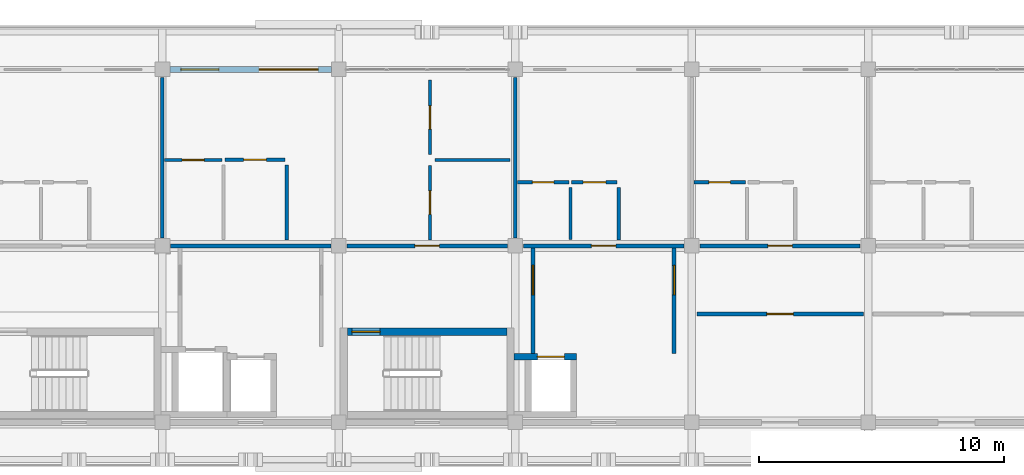
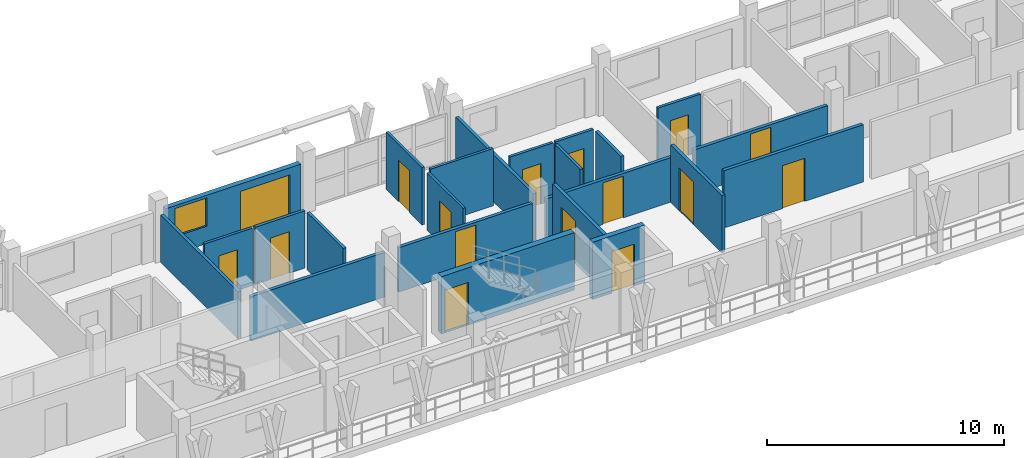
# One storey, part 34 of 56: 23 walls, 16 doors, 1 window, 17 openings.
"""IFC4 building model written with IfcOpenShell, lengths in metres."""

import ifcopenshell
import ifcopenshell.guid

model = None  # the IFC model being written
_history = None  # IfcOwnerHistory: only IFC2X3 demands one
_inside = {}  # id of a spatial element -> (the spatial element, [elements in it])
_under = {}  # id of a project, library or spatial element -> (it, [spatial elements below it])
_declared = {}  # id of a project -> (the project, [libraries it declares])
_typed = {}  # id of a type object -> (the type object, [elements of that type])
_made_of = {}  # id of a material, layer set ... -> (it, [elements and type objects made of it])


def new_model(schema):
    """Start an empty IFC model of exactly this schema.

    Asked for "IFC4X3", IfcOpenShell would pick the latest addendum, in which some entities
    have other attributes; the version numbers below select the first issue.
    IFC2X3 requires an IfcOwnerHistory on every rooted entity: one is made here for all.
    """
    global model, _history
    if schema == "IFC4X3":
        model = ifcopenshell.file(schema_version=(4, 3, 0, 0))
    else:
        model = ifcopenshell.file(schema=schema)
    _inside.clear()
    _under.clear()
    _declared.clear()
    _typed.clear()
    _made_of.clear()
    _history = None
    if model.schema == "IFC2X3":
        org = make("IfcOrganization", Name="unknown")
        user = make(
            "IfcPersonAndOrganization",
            ThePerson=make("IfcPerson", FamilyName="unknown"),
            TheOrganization=org,
        )
        app = make(
            "IfcApplication",
            ApplicationDeveloper=org,
            Version="unknown",
            ApplicationFullName="unknown",
            ApplicationIdentifier="unknown",
        )
        _history = make(
            "IfcOwnerHistory",
            OwningUser=user,
            OwningApplication=app,
            ChangeAction="ADDED",
            CreationDate=0,
        )
    return model


def make(cls, **values):
    """One entity of the class cls with the attributes given. An attribute that is None is left unset."""
    return model.create_entity(
        cls, **{name: value for name, value in values.items() if value is not None}
    )


def rooted(cls, **values):
    """An entity with a GlobalId (a new one), such as an element, a storey or a relation."""
    return make(cls, GlobalId=ifcopenshell.guid.new(), OwnerHistory=_history, **values)


def si_unit(unit_type, name, prefix=None):
    """IfcSIUnit, for example si_unit("LENGTHUNIT", "METRE", prefix="MILLI")."""
    return make("IfcSIUnit", UnitType=unit_type, Prefix=prefix, Name=name)


def assignment(units):
    """IfcUnitAssignment: the units of a project."""
    return None if units is None else make("IfcUnitAssignment", Units=units)


def point(xyz):
    """IfcCartesianPoint."""
    return None if xyz is None else make("IfcCartesianPoint", Coordinates=xyz)


def direction(xyz):
    """IfcDirection."""
    return None if xyz is None else make("IfcDirection", DirectionRatios=xyz)


def frame(location, z_axis=None, x_axis=None):
    """IfcAxis2Placement3D, a coordinate frame: its origin and axes. An axis left out is left unset."""
    return make(
        "IfcAxis2Placement3D",
        Location=point(location),
        Axis=direction(z_axis),
        RefDirection=direction(x_axis),
    )


def frame_2d(location, x_axis=None):
    """IfcAxis2Placement2D, a coordinate frame in the plane: its origin and x axis."""
    return make(
        "IfcAxis2Placement2D", Location=point(location), RefDirection=direction(x_axis)
    )


def origin():
    """The frame at (0, 0, 0) with its axes left unset."""
    return frame((0.0, 0.0, 0.0))


def place(relative_to, where):
    """IfcLocalPlacement: puts the frame where relative to a parent placement (None: the world)."""
    return make(
        "IfcLocalPlacement", PlacementRelTo=relative_to, RelativePlacement=where
    )


def context(
    kind, dimensions, precision=None, world=None, true_north=None, identifier=None
):
    """IfcGeometricRepresentationContext, for example the 3D "Model" context."""
    return make(
        "IfcGeometricRepresentationContext",
        ContextIdentifier=identifier,
        ContextType=kind,
        CoordinateSpaceDimension=dimensions,
        Precision=precision,
        WorldCoordinateSystem=world,
        TrueNorth=true_north,
    )


def subcontext(parent, identifier, kind, view, scale=None):
    """IfcGeometricRepresentationSubContext, for example "Body" below "Model"."""
    return make(
        "IfcGeometricRepresentationSubContext",
        ContextIdentifier=identifier,
        ContextType=kind,
        ParentContext=parent,
        TargetScale=scale,
        TargetView=view,
    )


def project(units=None, contexts=None):
    """IfcProject with its units and contexts."""
    return rooted(
        "IfcProject",
        Name="project",
        RepresentationContexts=contexts,
        UnitsInContext=assignment(units),
    )


def spatial(cls, under=None, at=None, **own):
    """A site, building, storey or space (cls), placed at a placement, below another one or the project."""
    s = rooted(cls, ObjectPlacement=at, **own)
    if under is not None:
        _under.setdefault(under.id(), (under, []))[1].append(s)
    return s


def profile(cls, at=None, kind="AREA", **sizes):
    """A parametric profile (cls). Its sizes go by their IFC names, for example OverallWidth=200.0."""
    return make(cls, ProfileType=kind, Position=at, **sizes)


def rectangle(**sizes):
    """IfcRectangleProfileDef."""
    return profile("IfcRectangleProfileDef", **sizes)


def extrude(swept, where, along, depth):
    """IfcExtrudedAreaSolid: the profile swept, set in the frame where, extruded along a direction by depth."""
    return make(
        "IfcExtrudedAreaSolid",
        SweptArea=swept,
        Position=where,
        ExtrudedDirection=direction(along),
        Depth=depth,
    )


def shape(context_of_items, identifier, shape_type, items):
    """IfcShapeRepresentation: the items that make up one representation, for example the "Body"."""
    return make(
        "IfcShapeRepresentation",
        ContextOfItems=context_of_items,
        RepresentationIdentifier=identifier,
        RepresentationType=shape_type,
        Items=items,
    )


def material(Name=None, Category=None):
    """IfcMaterial."""
    return make("IfcMaterial", Name=Name, Category=Category)


def layer(
    of_material, thickness, ventilated=None, Name=None, Category=None, Priority=None
):
    """IfcMaterialLayer: one layer of a wall or slab, of a material (None: an air gap)."""
    return make(
        "IfcMaterialLayer",
        Material=of_material,
        LayerThickness=thickness,
        IsVentilated=ventilated,
        Name=Name,
        Category=Category,
        Priority=Priority,
    )


def layer_set(layers, Name=None):
    """IfcMaterialLayerSet."""
    return make("IfcMaterialLayerSet", MaterialLayers=layers, LayerSetName=Name)


def made_of(thing, what):
    """Note that an element or type object is made of a material, layer set ...; save() writes the relation."""
    if what is not None:
        _made_of.setdefault(what.id(), (what, []))[1].append(thing)
    return thing


def type_object(cls, material=None, **own):
    """A type object (cls), such as IfcWallType, which elements share."""
    return made_of(rooted(cls, **own), material)


def element(
    cls,
    number,
    at=None,
    inside=None,
    cuts=None,
    type_object=None,
    material=None,
    context=None,
    identifier="Body",
    shape_type=None,
    held_by="IfcProductDefinitionShape",
    body=None,
    shapes=None,
    **own,
):
    """One element of the class cls, such as IfcWall. Its Tag is "e" and its number.

    at: its placement. inside: the storey or other place that contains it. cuts: it is an
    opening in that element (IfcRelVoidsElement). A single representation is given by context,
    identifier, shape_type and body (its items); several are given by shapes. held_by: the class
    of the entity that holds the representations. save() writes the other relations.
    """
    e = rooted(cls, Tag="e%d" % number, ObjectPlacement=at, **own)
    if body is not None:
        shapes = [shape(context, identifier, shape_type, body)]
    if shapes is not None:
        e.Representation = make(held_by, Representations=shapes)
    if inside is not None:
        _inside.setdefault(inside.id(), (inside, []))[1].append(e)
    if cuts is not None:
        rooted(
            "IfcRelVoidsElement", RelatingBuildingElement=cuts, RelatedOpeningElement=e
        )
    if type_object is not None:
        _typed.setdefault(type_object.id(), (type_object, []))[1].append(e)
    return made_of(e, material)


def fill(opening, filler):
    """IfcRelFillsElement: the door or window that sits in an opening."""
    return rooted(
        "IfcRelFillsElement",
        RelatingOpeningElement=opening,
        RelatedBuildingElement=filler,
    )


def aggregate(whole, parts):
    """IfcRelAggregates: a whole, such as a stair, and the parts it consists of."""
    return rooted("IfcRelAggregates", RelatingObject=whole, RelatedObjects=parts)


def save(model, path):
    """Write the relations noted so far, then the file.

    IfcRelAggregates (storeys below a building ...), IfcRelContainedInSpatialStructure (elements
    in a storey), IfcRelDefinesByType, IfcRelAssociatesMaterial and IfcRelDeclares: one each for
    every whole, place, type object, material and project.
    """
    for whole, parts in _under.values():
        aggregate(whole, parts)
    for where, things in _inside.values():
        rooted(
            "IfcRelContainedInSpatialStructure",
            RelatedElements=things,
            RelatingStructure=where,
        )
    for kind, things in _typed.values():
        rooted("IfcRelDefinesByType", RelatedObjects=things, RelatingType=kind)
    for what, things in _made_of.values():
        rooted("IfcRelAssociatesMaterial", RelatedObjects=things, RelatingMaterial=what)
    for by, libraries in _declared.values():
        rooted("IfcRelDeclares", RelatingContext=by, RelatedDefinitions=libraries)
    model.write(path)


model = new_model("IFC4")

# Units and contexts
model_context = context("Model", 3, precision=1e-05, world=origin(), true_north=direction((0.0, 1.0)))
body_context = subcontext(model_context, "Body", "Model", "MODEL_VIEW")
ifc_project = project(units=[si_unit("LENGTHUNIT", "METRE"), si_unit("AREAUNIT", "SQUARE_METRE"), si_unit("VOLUMEUNIT", "CUBIC_METRE"), si_unit("PLANEANGLEUNIT", "RADIAN"), si_unit("MASSUNIT", "GRAM", prefix="KILO")], contexts=[model_context])

# Site, building, storey
site_placement = place(None, origin())
site = spatial("IfcSite", under=ifc_project, at=site_placement, CompositionType="ELEMENT")
building_placement = place(site_placement, origin())
building = spatial("IfcBuilding", under=site, at=building_placement, Name="Suanplinth Sawtooth Commons", CompositionType="ELEMENT")
storey_placement = place(building_placement, frame((0.0, 0.0, 34.800048828125)))
storey = spatial("IfcBuildingStorey", under=building, at=storey_placement, Name="L10", CompositionType="ELEMENT", Elevation=34.800048828125)

# Wall, opening, door
ifc_material_1 = material(Name="Concrete C40/50", Category="concrete")
ifc_layer_1 = layer(ifc_material_1, 0.300048828125, Name="Standard RC stair and lift core wall 300mm")
ifc_layer_set_1 = layer_set([ifc_layer_1], Name="Concrete C40/50")
wall_type_1 = type_object("IfcWallType", Name="W-CR02", PredefinedType="SHEAR", material=ifc_layer_set_1)
wall_1_placement = place(storey_placement, frame((57.949951171875, 111.699951171875, 0.0), z_axis=(0.0, 0.0, 1.0), x_axis=(1.0, 0.0, 0.0)))
wall_1 = element("IfcWall", 1, at=wall_1_placement, inside=storey, type_object=wall_type_1, Name="W-L10-C-A2-STN", PredefinedType="SHEAR", context=body_context, shape_type="SweptSolid", body=[
    extrude(rectangle(XDim=6.5, YDim=0.300048828125, at=frame_2d((3.25, 0.0))), origin(), (0.0, 0.0, 1.0), 2.9599609375),
])
opening_1_placement = place(wall_1_placement, frame((0.179931640625, 0.0, 0.0)))
opening_1 = element("IfcOpeningElement", 2, at=opening_1_placement, cuts=wall_1, Name="Opening FD0130", PredefinedType="OPENING", context=body_context, shape_type="SweptSolid", body=[
    extrude(rectangle(XDim=1.14990234375, YDim=2.199951171875, at=frame_2d((0.574951171875, 1.10009765625))), frame((0.0, 0.1650390625, 0.0), z_axis=(0.0, -1.0, 0.0), x_axis=(1.0, 0.0, 0.0)), (0.0, 0.0, 1.0), 0.329833984375),
])
ifc_material_2 = material(Name="Teak hardwood fire-rated door assembly", Category="wood")
door_type_1 = type_object("IfcDoorType", Name="FD-01", OperationType="NOTDEFINED", PredefinedType="DOOR", material=ifc_material_2)
door_1_placement = place(opening_1_placement, frame((1.14990234375, 0.0, 0.0), z_axis=(0.0, 0.0, 1.0), x_axis=(-1.0, 0.0, 0.0)))
door_1 = element("IfcDoor", 3, at=door_1_placement, inside=storey, type_object=door_type_1, Name="Exit Stair Fire Door FD0130", OperationType="SINGLE_SWING_RIGHT", OverallHeight=2.199951171875, OverallWidth=1.14990234375, PredefinedType="DOOR", context=body_context, shape_type="SweptSolid", body=[
    extrude(rectangle(XDim=1.14990234375, YDim=2.199951171875, at=frame_2d((0.574951171875, 1.10009765625))), frame((0.0, 0.02490234375, 0.0), z_axis=(0.0, -1.0, 0.0), x_axis=(1.0, 0.0, 0.0)), (0.0, 0.0, 1.0), 0.050048828125),
])
fill(opening_1, door_1)

# Wall, openings, door, window
ifc_material_3 = material(Name="Precast concrete C40/50", Category="concrete")
ifc_layer_2 = layer(ifc_material_3, 0.239990234375, Name="Upper insulated precast facade wall 240mm")
ifc_layer_set_2 = layer_set([ifc_layer_2], Name="Precast concrete C40/50")
wall_type_2 = type_object("IfcWallType", Name="W-EX03", PredefinedType="ELEMENTEDWALL", material=ifc_layer_set_2)
wall_2_placement = place(storey_placement, frame((50.699951171875, 122.39990234375, 0.0), z_axis=(0.0, 0.0, 1.0), x_axis=(1.0, 0.0, 0.0)))
wall_2 = element("IfcWall", 4, at=wall_2_placement, inside=storey, type_object=wall_type_2, Name="Facade Wall W-L10-A-N-4", PredefinedType="ELEMENTEDWALL", context=body_context, shape_type="SweptSolid", body=[
    extrude(rectangle(XDim=6.60009765625, YDim=0.239990234375, at=frame_2d((3.300048828125, 0.0))), origin(), (0.0, 0.0, 1.0), 2.494873046875),
])
opening_2_placement = place(wall_2_placement, frame((3.64990234375, 0.0, 0.0)))
opening_2 = element("IfcOpeningElement", 5, at=opening_2_placement, cuts=wall_2, Name="Opening ED0741", PredefinedType="OPENING", context=body_context, shape_type="SweptSolid", body=[
    extrude(rectangle(XDim=2.39990234375, YDim=2.1201171875, at=frame_2d((1.199951171875, 1.06005859375))), frame((0.0, 0.134765625, 0.0), z_axis=(0.0, -1.0, 0.0), x_axis=(1.0, 0.0, 0.0)), (0.0, 0.0, 1.0), 0.269775390625),
])
opening_3_placement = place(wall_2_placement, frame((0.449951171875, 0.0, 0.89990234375)))
opening_3 = element("IfcOpeningElement", 6, at=opening_3_placement, cuts=wall_2, Name="Opening W0821", PredefinedType="OPENING", context=body_context, shape_type="SweptSolid", body=[
    extrude(rectangle(XDim=1.550048828125, YDim=1.449951171875, at=frame_2d((0.77490234375, 0.72509765625))), frame((0.0, 0.134765625, 0.0), z_axis=(0.0, -1.0, 0.0), x_axis=(1.0, 0.0, 0.0)), (0.0, 0.0, 1.0), 0.269775390625),
])
ifc_material_4 = material(Name="Anodized aluminium and low-E glass", Category="aluminium")
door_type_2 = type_object("IfcDoorType", Name="SD-04", OperationType="DOUBLE_DOOR_SLIDING", PredefinedType="DOOR", material=ifc_material_4)
door_2_placement = place(opening_2_placement, frame((2.39990234375, 0.0, 0.0), z_axis=(0.0, 0.0, 1.0), x_axis=(-1.0, 0.0, 0.0)))
door_2 = element("IfcDoor", 7, at=door_2_placement, inside=storey, type_object=door_type_2, Name="Balcony Sliding Door L10-A-N-4", OperationType="DOUBLE_DOOR_SLIDING", OverallHeight=2.1201171875, OverallWidth=2.39990234375, PredefinedType="DOOR", context=body_context, shape_type="SweptSolid", body=[
    extrude(rectangle(XDim=2.39990234375, YDim=2.1201171875, at=frame_2d((1.199951171875, 1.06005859375))), frame((0.0, 0.02490234375, 0.0), z_axis=(0.0, -1.0, 0.0), x_axis=(1.0, 0.0, 0.0)), (0.0, 0.0, 1.0), 0.050048828125),
])
fill(opening_2, door_2)
ifc_material_5 = material(Name="Thermally broken aluminium and low-E double glazing", Category="aluminium")
window_type = type_object("IfcWindowType", Name="WN-22", PartitioningType="DOUBLE_PANEL_VERTICAL", PredefinedType="WINDOW", material=ifc_material_5)
window_placement = place(opening_3_placement, origin())
window = element("IfcWindow", 8, at=window_placement, inside=storey, type_object=window_type, Name="Window L10-A-N-4", OverallHeight=1.449951171875, OverallWidth=1.550048828125, PartitioningType="DOUBLE_PANEL_VERTICAL", PredefinedType="WINDOW", context=body_context, shape_type="SweptSolid", body=[
    extrude(rectangle(XDim=1.550048828125, YDim=1.449951171875, at=frame_2d((0.77490234375, 0.72509765625))), frame((0.0, 0.030029296875, 0.0), z_axis=(0.0, -1.0, 0.0), x_axis=(1.0, 0.0, 0.0)), (0.0, 0.0, 1.0), 0.06005859375),
])
fill(opening_3, window)

# Wall, opening, door
ifc_layer_3 = layer(ifc_material_3, 0.159912109375, Name="Fire-rated corridor and lobby wall 160mm")
ifc_layer_set_3 = layer_set([ifc_layer_3], Name="Precast concrete C40/50")
wall_type_3 = type_object("IfcWallType", Name="W-FW01", PredefinedType="PARTITIONING", material=ifc_layer_set_3)
wall_3_placement = place(storey_placement, frame((65.52001953125, 110.800048828125, 0.0), z_axis=(0.0, 0.0, 1.0), x_axis=(0.0, 1.0, 0.0)))
wall_3 = element("IfcWall", 9, at=wall_3_placement, inside=storey, type_object=wall_type_3, Name="W-L10-C-A2-LOB-W", PredefinedType="PARTITIONING", context=body_context, shape_type="SweptSolid", body=[
    extrude(rectangle(XDim=4.320068359375, YDim=0.159912109375, at=frame_2d((2.16015625, 0.0))), origin(), (0.0, 0.0, 1.0), 2.9599609375),
])
opening_4_placement = place(wall_3_placement, frame((2.39990234375, 0.0, 0.0)))
opening_4 = element("IfcOpeningElement", 10, at=opening_4_placement, cuts=wall_3, Name="Opening FD0131", PredefinedType="OPENING", context=body_context, shape_type="SweptSolid", body=[
    extrude(rectangle(XDim=1.199951171875, YDim=2.199951171875, at=frame_2d((0.60009765625, 1.10009765625))), frame((0.0, 0.0947265625, 0.0), z_axis=(0.0, -1.0, 0.0), x_axis=(1.0, 0.0, 0.0)), (0.0, 0.0, 1.0), 0.189697265625),
])
door_type_3 = type_object("IfcDoorType", Name="FD-02", OperationType="NOTDEFINED", PredefinedType="DOOR", material=ifc_material_2)
door_3_placement = place(opening_4_placement, origin())
door_3 = element("IfcDoor", 11, at=door_3_placement, inside=storey, type_object=door_type_3, Name="Lobby Fire Door FD0131", OperationType="SINGLE_SWING_LEFT", OverallHeight=2.199951171875, OverallWidth=1.199951171875, PredefinedType="DOOR", context=body_context, shape_type="SweptSolid", body=[
    extrude(rectangle(XDim=1.199951171875, YDim=2.199951171875, at=frame_2d((0.60009765625, 1.10009765625))), frame((0.0, 0.02490234375, 0.0), z_axis=(0.0, -1.0, 0.0), x_axis=(1.0, 0.0, 0.0)), (0.0, 0.0, 1.0), 0.050048828125),
])
fill(opening_4, door_3)

wall_4_placement = place(storey_placement, frame((71.280029296875, 110.800048828125, 0.0), z_axis=(0.0, 0.0, 1.0), x_axis=(0.0, 1.0, 0.0)))
wall_4 = element("IfcWall", 12, at=wall_4_placement, inside=storey, type_object=wall_type_3, Name="W-L10-C-A2-LOB-E", PredefinedType="PARTITIONING", context=body_context, shape_type="SweptSolid", body=[
    extrude(rectangle(XDim=4.320068359375, YDim=0.159912109375, at=frame_2d((2.16015625, 0.0))), origin(), (0.0, 0.0, 1.0), 2.9599609375),
])
opening_5_placement = place(wall_4_placement, frame((2.39990234375, 0.0, 0.0)))
opening_5 = element("IfcOpeningElement", 13, at=opening_5_placement, cuts=wall_4, Name="Opening FD0132", PredefinedType="OPENING", context=body_context, shape_type="SweptSolid", body=[
    extrude(rectangle(XDim=1.199951171875, YDim=2.199951171875, at=frame_2d((0.60009765625, 1.10009765625))), frame((0.0, 0.0947265625, 0.0), z_axis=(0.0, -1.0, 0.0), x_axis=(1.0, 0.0, 0.0)), (0.0, 0.0, 1.0), 0.189697265625),
])
door_4_placement = place(opening_5_placement, frame((1.199951171875, 0.0, 0.0), z_axis=(0.0, 0.0, 1.0), x_axis=(-1.0, 0.0, 0.0)))
door_4 = element("IfcDoor", 14, at=door_4_placement, inside=storey, type_object=door_type_3, Name="Lobby Fire Door FD0132", OperationType="SINGLE_SWING_RIGHT", OverallHeight=2.199951171875, OverallWidth=1.199951171875, PredefinedType="DOOR", context=body_context, shape_type="SweptSolid", body=[
    extrude(rectangle(XDim=1.199951171875, YDim=2.199951171875, at=frame_2d((0.60009765625, 1.10009765625))), frame((0.0, 0.02490234375, 0.0), z_axis=(0.0, -1.0, 0.0), x_axis=(1.0, 0.0, 0.0)), (0.0, 0.0, 1.0), 0.050048828125),
])
fill(opening_5, door_4)

# Wall
wall_5_placement = place(storey_placement, frame((50.72998046875, 115.199951171875, 0.0), z_axis=(0.0, 0.0, 1.0), x_axis=(1.0, 0.0, 0.0)))
element("IfcWall", 15, at=wall_5_placement, inside=storey, type_object=wall_type_3, Name="W-A-L10-U04-COR-S1", PredefinedType="PARTITIONING", context=body_context, shape_type="SweptSolid", body=[
    extrude(rectangle(XDim=6.5400390625, YDim=0.159912109375, at=frame_2d((3.27001953125, 0.0))), origin(), (0.0, 0.0, 1.0), 2.294921875),
])

# Wall, opening, door
wall_6_placement = place(storey_placement, frame((57.929931640625, 115.199951171875, 0.0), z_axis=(0.0, 0.0, 1.0), x_axis=(1.0, 0.0, 0.0)))
wall_6 = element("IfcWall", 16, at=wall_6_placement, inside=storey, type_object=wall_type_3, Name="W-A-L10-U04-COR-S2", PredefinedType="PARTITIONING", context=body_context, shape_type="SweptSolid", body=[
    extrude(rectangle(XDim=6.5400390625, YDim=0.159912109375, at=frame_2d((3.27001953125, 0.0))), origin(), (0.0, 0.0, 1.0), 2.294921875),
])
opening_6_placement = place(wall_6_placement, frame((2.77001953125, 0.0, 0.0)))
opening_6 = element("IfcOpeningElement", 17, at=opening_6_placement, cuts=wall_6, Name="Opening FD1855", PredefinedType="OPENING", context=body_context, shape_type="SweptSolid", body=[
    extrude(rectangle(XDim=1.0, YDim=2.14990234375, at=frame_2d((0.5, 1.074951171875))), frame((0.0, 0.0947265625, 0.0), z_axis=(0.0, -1.0, 0.0), x_axis=(1.0, 0.0, 0.0)), (0.0, 0.0, 1.0), 0.189697265625),
])
door_type_4 = type_object("IfcDoorType", Name="FD-03", OperationType="NOTDEFINED", PredefinedType="DOOR", material=ifc_material_2)
door_5_placement = place(opening_6_placement, origin())
door_5 = element("IfcDoor", 18, at=door_5_placement, inside=storey, type_object=door_type_4, Name="Unit Entrance Door FD1855", OperationType="SINGLE_SWING_LEFT", OverallHeight=2.14990234375, OverallWidth=1.0, PredefinedType="DOOR", context=body_context, shape_type="SweptSolid", body=[
    extrude(rectangle(XDim=1.0, YDim=2.14990234375, at=frame_2d((0.5, 1.074951171875))), frame((0.0, 0.02490234375, 0.0), z_axis=(0.0, -1.0, 0.0), x_axis=(1.0, 0.0, 0.0)), (0.0, 0.0, 1.0), 0.050048828125),
])
fill(opening_6, door_5)

wall_7_placement = place(storey_placement, frame((65.1298828125, 115.199951171875, 0.0), z_axis=(0.0, 0.0, 1.0), x_axis=(1.0, 0.0, 0.0)))
wall_7 = element("IfcWall", 19, at=wall_7_placement, inside=storey, type_object=wall_type_3, Name="W-A-L10-U05-COR", PredefinedType="PARTITIONING", context=body_context, shape_type="SweptSolid", body=[
    extrude(rectangle(XDim=6.5400390625, YDim=0.159912109375, at=frame_2d((3.27001953125, 0.0))), origin(), (0.0, 0.0, 1.0), 2.294921875),
])
opening_7_placement = place(wall_7_placement, frame((2.77001953125, 0.0, 0.0)))
opening_7 = element("IfcOpeningElement", 20, at=opening_7_placement, cuts=wall_7, Name="Opening FD1860", PredefinedType="OPENING", context=body_context, shape_type="SweptSolid", body=[
    extrude(rectangle(XDim=1.0, YDim=2.14990234375, at=frame_2d((0.5, 1.074951171875))), frame((0.0, 0.0947265625, 0.0), z_axis=(0.0, -1.0, 0.0), x_axis=(1.0, 0.0, 0.0)), (0.0, 0.0, 1.0), 0.189697265625),
])
door_6_placement = place(opening_7_placement, origin())
door_6 = element("IfcDoor", 21, at=door_6_placement, inside=storey, type_object=door_type_4, Name="Unit Entrance Door FD1860", OperationType="SINGLE_SWING_RIGHT", OverallHeight=2.14990234375, OverallWidth=1.0, PredefinedType="DOOR", context=body_context, shape_type="SweptSolid", body=[
    extrude(rectangle(XDim=1.0, YDim=2.14990234375, at=frame_2d((0.5, 1.074951171875))), frame((0.0, 0.02490234375, 0.0), z_axis=(0.0, -1.0, 0.0), x_axis=(1.0, 0.0, 0.0)), (0.0, 0.0, 1.0), 0.050048828125),
])
fill(opening_7, door_6)

wall_8_placement = place(storey_placement, frame((72.330078125, 115.199951171875, 0.0), z_axis=(0.0, 0.0, 1.0), x_axis=(1.0, 0.0, 0.0)))
wall_8 = element("IfcWall", 22, at=wall_8_placement, inside=storey, type_object=wall_type_3, Name="W-A-L10-U06-COR", PredefinedType="PARTITIONING", context=body_context, shape_type="SweptSolid", body=[
    extrude(rectangle(XDim=6.5400390625, YDim=0.159912109375, at=frame_2d((3.27001953125, 0.0))), origin(), (0.0, 0.0, 1.0), 2.294921875),
])
opening_8_placement = place(wall_8_placement, frame((2.77001953125, 0.0, 0.0)))
opening_8 = element("IfcOpeningElement", 23, at=opening_8_placement, cuts=wall_8, Name="Opening FD1863", PredefinedType="OPENING", context=body_context, shape_type="SweptSolid", body=[
    extrude(rectangle(XDim=1.0, YDim=2.14990234375, at=frame_2d((0.5, 1.074951171875))), frame((0.0, 0.0947265625, 0.0), z_axis=(0.0, -1.0, 0.0), x_axis=(1.0, 0.0, 0.0)), (0.0, 0.0, 1.0), 0.189697265625),
])
door_7_placement = place(opening_8_placement, origin())
door_7 = element("IfcDoor", 24, at=door_7_placement, inside=storey, type_object=door_type_4, Name="Unit Entrance Door FD1863", OperationType="SINGLE_SWING_LEFT", OverallHeight=2.14990234375, OverallWidth=1.0, PredefinedType="DOOR", context=body_context, shape_type="SweptSolid", body=[
    extrude(rectangle(XDim=1.0, YDim=2.14990234375, at=frame_2d((0.5, 1.074951171875))), frame((0.0, 0.02490234375, 0.0), z_axis=(0.0, -1.0, 0.0), x_axis=(1.0, 0.0, 0.0)), (0.0, 0.0, 1.0), 0.050048828125),
])
fill(opening_8, door_7)

wall_9_placement = place(storey_placement, frame((72.199951171875, 112.419921875, 0.0), z_axis=(0.0, 0.0, 1.0), x_axis=(1.0, 0.0, 0.0)))
wall_9 = element("IfcWall", 25, at=wall_9_placement, inside=storey, type_object=wall_type_3, Name="W-A-L10-COURTROOM-11-COR", PredefinedType="PARTITIONING", context=body_context, shape_type="SweptSolid", body=[
    extrude(rectangle(XDim=6.800048828125, YDim=0.159912109375, at=frame_2d((3.39990234375, 0.0))), origin(), (0.0, 0.0, 1.0), 2.9599609375),
])
opening_9_placement = place(wall_9_placement, frame((2.860107421875, 0.0, 0.0)))
opening_9 = element("IfcOpeningElement", 26, at=opening_9_placement, cuts=wall_9, Name="Opening D1875", PredefinedType="OPENING", context=body_context, shape_type="SweptSolid", body=[
    extrude(rectangle(XDim=1.080078125, YDim=2.219970703125, at=frame_2d((0.5400390625, 1.10986328125))), frame((0.0, 0.0947265625, 0.0), z_axis=(0.0, -1.0, 0.0), x_axis=(1.0, 0.0, 0.0)), (0.0, 0.0, 1.0), 0.189697265625),
])
ifc_material_6 = material(Name="Teak hardwood", Category="wood")
door_type_5 = type_object("IfcDoorType", Name="D-17", OperationType="NOTDEFINED", PredefinedType="DOOR", material=ifc_material_6)
door_8_placement = place(opening_9_placement, frame((1.080078125, 0.0, 0.0), z_axis=(0.0, 0.0, 1.0), x_axis=(-1.0, 0.0, 0.0)))
door_8 = element("IfcDoor", 27, at=door_8_placement, inside=storey, type_object=door_type_5, Name="Study Studio Door D1875", OperationType="SINGLE_SWING_LEFT", OverallHeight=2.219970703125, OverallWidth=1.080078125, PredefinedType="DOOR", context=body_context, shape_type="SweptSolid", body=[
    extrude(rectangle(XDim=1.080078125, YDim=2.219970703125, at=frame_2d((0.5400390625, 1.10986328125))), frame((0.0, 0.02490234375, 0.0), z_axis=(0.0, -1.0, 0.0), x_axis=(1.0, 0.0, 0.0)), (0.0, 0.0, 1.0), 0.050048828125),
])
fill(opening_9, door_8)

# Walls
ifc_layer_4 = layer(ifc_material_3, 0.14990234375, Name="Acoustic precast party demising wall 150mm")
ifc_layer_set_4 = layer_set([ifc_layer_4], Name="Precast concrete C40/50")
wall_type_4 = type_object("IfcWallType", Name="W-FW02", PredefinedType="PARTITIONING", material=ifc_layer_set_4)
for number, where, z_axis, x_axis, name in (
    (28, (50.39990234375, 115.530029296875, 0.0), (0.0, 0.0, 1.0), (0.0, 1.0, 0.0), "W-A-L10-U03-PTY"),
    (29, (64.800048828125, 115.530029296875, 0.0), (0.0, 0.0, 1.0), (0.0, 1.0, 0.0), "W-A-L10-U04-PTY"),
):
    element("IfcWall", number, at=place(storey_placement, frame(where, z_axis=z_axis, x_axis=x_axis)), inside=storey, type_object=wall_type_4, Name=name, PredefinedType="PARTITIONING", context=body_context, shape_type="SweptSolid", body=[
        extrude(rectangle(XDim=6.5400390625, YDim=0.14990234375, at=frame_2d((3.27001953125, 0.0))), origin(), (0.0, 0.0, 1.0), 2.445068359375),
    ])

# Wall, opening, door
ifc_material_7 = material(Name="Gypsum plasterboard on steel stud", Category="steel")
ifc_layer_5 = layer(ifc_material_7, 0.139892578125, Name="Fire-rated kitchen partition 140mm")
ifc_layer_set_5 = layer_set([ifc_layer_5], Name="Gypsum plasterboard on steel stud")
wall_type_5 = type_object("IfcWallType", Name="W-PT01", PredefinedType="PARTITIONING", material=ifc_layer_set_5)
wall_10_placement = place(storey_placement, frame((52.949951171875, 118.7099609375, 0.0), z_axis=(0.0, 0.0, 1.0), x_axis=(1.0, 0.0, 0.0)))
wall_10 = element("IfcWall", 30, at=wall_10_placement, inside=storey, type_object=wall_type_5, Name="W-A-L10-U04-KIT1", PredefinedType="PARTITIONING", context=body_context, shape_type="SweptSolid", body=[
    extrude(rectangle(XDim=2.449951171875, YDim=0.139892578125, at=frame_2d((1.22509765625, 0.0))), origin(), (0.0, 0.0, 1.0), 2.9599609375),
])
opening_10_placement = place(wall_10_placement, frame((0.760009765625, 0.0, 0.0)))
opening_10 = element("IfcOpeningElement", 31, at=opening_10_placement, cuts=wall_10, Name="Opening D1857", PredefinedType="OPENING", context=body_context, shape_type="SweptSolid", body=[
    extrude(rectangle(XDim=0.929931640625, YDim=2.139892578125, at=frame_2d((0.46484375, 1.06982421875))), frame((0.0, 0.0849609375, 0.0), z_axis=(0.0, -1.0, 0.0), x_axis=(1.0, 0.0, 0.0)), (0.0, 0.0, 1.0), 0.169677734375),
])
door_type_6 = type_object("IfcDoorType", Name="D-19", OperationType="NOTDEFINED", PredefinedType="DOOR", material=ifc_material_6)
door_9_placement = place(opening_10_placement, frame((0.929931640625, 0.0, 0.0), z_axis=(0.0, 0.0, 1.0), x_axis=(-1.0, 0.0, 0.0)))
door_9 = element("IfcDoor", 32, at=door_9_placement, inside=storey, type_object=door_type_6, Name="Kitchen Door D1857", OperationType="SINGLE_SWING_LEFT", OverallHeight=2.139892578125, OverallWidth=0.929931640625, PredefinedType="DOOR", context=body_context, shape_type="SweptSolid", body=[
    extrude(rectangle(XDim=0.929931640625, YDim=2.139892578125, at=frame_2d((0.46484375, 1.06982421875))), frame((0.0, 0.02490234375, 0.0), z_axis=(0.0, -1.0, 0.0), x_axis=(1.0, 0.0, 0.0)), (0.0, 0.0, 1.0), 0.050048828125),
])
fill(opening_10, door_9)

# Wall
wall_11_placement = place(storey_placement, frame((55.469970703125, 115.429931640625, 0.0), z_axis=(0.0, 0.0, 1.0), x_axis=(0.0, 1.0, 0.0)))
element("IfcWall", 33, at=wall_11_placement, inside=storey, type_object=wall_type_5, Name="W-A-L10-U04-KIT2", PredefinedType="PARTITIONING", context=body_context, shape_type="SweptSolid", body=[
    extrude(rectangle(XDim=3.06005859375, YDim=0.139892578125, at=frame_2d((1.530029296875, 0.0))), origin(), (0.0, 0.0, 1.0), 2.9599609375),
])

# Wall, opening, door
wall_12_placement = place(storey_placement, frame((67.10009765625, 117.800048828125, 0.0), z_axis=(0.0, 0.0, 1.0), x_axis=(1.0, 0.0, 0.0)))
wall_12 = element("IfcWall", 34, at=wall_12_placement, inside=storey, type_object=wall_type_5, Name="W-A-L10-U05-KIT1", PredefinedType="PARTITIONING", context=body_context, shape_type="SweptSolid", body=[
    extrude(rectangle(XDim=1.849853515625, YDim=0.139892578125, at=frame_2d((0.9248046875, 0.0))), origin(), (0.0, 0.0, 1.0), 2.9599609375),
])
opening_11_placement = place(wall_12_placement, frame((0.4599609375, 0.0, 0.0)))
opening_11 = element("IfcOpeningElement", 35, at=opening_11_placement, cuts=wall_12, Name="Opening D1862", PredefinedType="OPENING", context=body_context, shape_type="SweptSolid", body=[
    extrude(rectangle(XDim=0.929931640625, YDim=2.139892578125, at=frame_2d((0.46484375, 1.06982421875))), frame((0.0, 0.0849609375, 0.0), z_axis=(0.0, -1.0, 0.0), x_axis=(1.0, 0.0, 0.0)), (0.0, 0.0, 1.0), 0.169677734375),
])
door_10_placement = place(opening_11_placement, frame((0.929931640625, 0.0, 0.0), z_axis=(0.0, 0.0, 1.0), x_axis=(-1.0, 0.0, 0.0)))
door_10 = element("IfcDoor", 36, at=door_10_placement, inside=storey, type_object=door_type_6, Name="Kitchen Door D1862", OperationType="SINGLE_SWING_RIGHT", OverallHeight=2.139892578125, OverallWidth=0.929931640625, PredefinedType="DOOR", context=body_context, shape_type="SweptSolid", body=[
    extrude(rectangle(XDim=0.929931640625, YDim=2.139892578125, at=frame_2d((0.46484375, 1.06982421875))), frame((0.0, 0.02490234375, 0.0), z_axis=(0.0, -1.0, 0.0), x_axis=(1.0, 0.0, 0.0)), (0.0, 0.0, 1.0), 0.050048828125),
])
fill(opening_11, door_10)

# Wall
wall_13_placement = place(storey_placement, frame((69.02001953125, 115.429931640625, 0.0), z_axis=(0.0, 0.0, 1.0), x_axis=(0.0, 1.0, 0.0)))
element("IfcWall", 37, at=wall_13_placement, inside=storey, type_object=wall_type_5, Name="W-A-L10-U05-KIT2", PredefinedType="PARTITIONING", context=body_context, shape_type="SweptSolid", body=[
    extrude(rectangle(XDim=2.150146484375, YDim=0.139892578125, at=frame_2d((1.0751953125, 0.0))), origin(), (0.0, 0.0, 1.0), 2.9599609375),
])

# Wall, opening, door
ifc_layer_6 = layer(ifc_material_7, 0.1298828125, Name="Moisture-resistant bathroom partition 130mm")
ifc_layer_set_6 = layer_set([ifc_layer_6], Name="Gypsum plasterboard on steel stud")
wall_type_6 = type_object("IfcWallType", Name="W-PT02", PredefinedType="PARTITIONING", material=ifc_layer_set_6)
wall_14_placement = place(storey_placement, frame((50.47998046875, 118.705078125, 0.0), z_axis=(0.0, 0.0, 1.0), x_axis=(1.0, 0.0, 0.0)))
wall_14 = element("IfcWall", 38, at=wall_14_placement, inside=storey, type_object=wall_type_6, Name="W-A-L10-U04-BTH1", PredefinedType="PARTITIONING", context=body_context, shape_type="SweptSolid", body=[
    extrude(rectangle(XDim=2.35009765625, YDim=0.1298828125, at=frame_2d((1.175048828125, 0.0))), origin(), (0.0, 0.0, 1.0), 2.9599609375),
])
opening_12_placement = place(wall_14_placement, frame((0.72509765625, 0.0, 0.0)))
opening_12 = element("IfcOpeningElement", 39, at=opening_12_placement, cuts=wall_14, Name="Opening D1856", PredefinedType="OPENING", context=body_context, shape_type="SweptSolid", body=[
    extrude(rectangle(XDim=0.89990234375, YDim=2.10009765625, at=frame_2d((0.449951171875, 1.050048828125))), frame((0.0, 0.079833984375, 0.0), z_axis=(0.0, -1.0, 0.0), x_axis=(1.0, 0.0, 0.0)), (0.0, 0.0, 1.0), 0.15966796875),
])
door_type_7 = type_object("IfcDoorType", Name="D-01", OperationType="NOTDEFINED", PredefinedType="DOOR", material=ifc_material_6)
door_11_placement = place(opening_12_placement, frame((0.89990234375, 0.0, 0.0), z_axis=(0.0, 0.0, 1.0), x_axis=(-1.0, 0.0, 0.0)))
door_11 = element("IfcDoor", 40, at=door_11_placement, inside=storey, type_object=door_type_7, Name="Bathroom Door D1856", OperationType="SINGLE_SWING_RIGHT", OverallHeight=2.10009765625, OverallWidth=0.89990234375, PredefinedType="DOOR", context=body_context, shape_type="SweptSolid", body=[
    extrude(rectangle(XDim=0.89990234375, YDim=2.10009765625, at=frame_2d((0.449951171875, 1.050048828125))), frame((0.0, 0.02490234375, 0.0), z_axis=(0.0, -1.0, 0.0), x_axis=(1.0, 0.0, 0.0)), (0.0, 0.0, 1.0), 0.050048828125),
])
fill(opening_12, door_11)

wall_15_placement = place(storey_placement, frame((64.8798828125, 117.794921875, 0.0), z_axis=(0.0, 0.0, 1.0), x_axis=(1.0, 0.0, 0.0)))
wall_15 = element("IfcWall", 41, at=wall_15_placement, inside=storey, type_object=wall_type_6, Name="W-A-L10-U05-BTH1", PredefinedType="PARTITIONING", context=body_context, shape_type="SweptSolid", body=[
    extrude(rectangle(XDim=2.10009765625, YDim=0.1298828125, at=frame_2d((1.050048828125, 0.0))), origin(), (0.0, 0.0, 1.0), 2.9599609375),
])
opening_13_placement = place(wall_15_placement, frame((0.610107421875, 0.0, 0.0)))
opening_13 = element("IfcOpeningElement", 42, at=opening_13_placement, cuts=wall_15, Name="Opening D1861", PredefinedType="OPENING", context=body_context, shape_type="SweptSolid", body=[
    extrude(rectangle(XDim=0.8798828125, YDim=2.10009765625, at=frame_2d((0.43994140625, 1.050048828125))), frame((0.0, 0.079833984375, 0.0), z_axis=(0.0, -1.0, 0.0), x_axis=(1.0, 0.0, 0.0)), (0.0, 0.0, 1.0), 0.15966796875),
])
door_type_8 = type_object("IfcDoorType", Name="D-14", OperationType="NOTDEFINED", PredefinedType="DOOR", material=ifc_material_6)
door_12_placement = place(opening_13_placement, frame((0.8798828125, 0.0, 0.0), z_axis=(0.0, 0.0, 1.0), x_axis=(-1.0, 0.0, 0.0)))
door_12 = element("IfcDoor", 43, at=door_12_placement, inside=storey, type_object=door_type_8, Name="Bathroom Door D1861", OperationType="SINGLE_SWING_LEFT", OverallHeight=2.10009765625, OverallWidth=0.8798828125, PredefinedType="DOOR", context=body_context, shape_type="SweptSolid", body=[
    extrude(rectangle(XDim=0.8798828125, YDim=2.10009765625, at=frame_2d((0.43994140625, 1.050048828125))), frame((0.0, 0.02490234375, 0.0), z_axis=(0.0, -1.0, 0.0), x_axis=(1.0, 0.0, 0.0)), (0.0, 0.0, 1.0), 0.050048828125),
])
fill(opening_13, door_12)

# Wall
wall_16_placement = place(storey_placement, frame((67.044921875, 115.4599609375, 0.0), z_axis=(0.0, 0.0, 1.0), x_axis=(0.0, 1.0, 0.0)))
element("IfcWall", 44, at=wall_16_placement, inside=storey, type_object=wall_type_6, Name="W-A-L10-U05-BTH2", PredefinedType="PARTITIONING", context=body_context, shape_type="SweptSolid", body=[
    extrude(rectangle(XDim=2.130126953125, YDim=0.1298828125, at=frame_2d((1.06494140625, 0.0))), origin(), (0.0, 0.0, 1.0), 2.9599609375),
])

# Wall, opening, door
wall_17_placement = place(storey_placement, frame((72.080078125, 117.794921875, 0.0), z_axis=(0.0, 0.0, 1.0), x_axis=(1.0, 0.0, 0.0)))
wall_17 = element("IfcWall", 45, at=wall_17_placement, inside=storey, type_object=wall_type_6, Name="W-A-L10-U06-BTH1", PredefinedType="PARTITIONING", context=body_context, shape_type="SweptSolid", body=[
    extrude(rectangle(XDim=2.099853515625, YDim=0.1298828125, at=frame_2d((1.0498046875, 0.0))), origin(), (0.0, 0.0, 1.0), 2.9599609375),
])
opening_14_placement = place(wall_17_placement, frame((0.610107421875, 0.0, 0.0)))
opening_14 = element("IfcOpeningElement", 46, at=opening_14_placement, cuts=wall_17, Name="Opening D1864", PredefinedType="OPENING", context=body_context, shape_type="SweptSolid", body=[
    extrude(rectangle(XDim=0.8798828125, YDim=2.10009765625, at=frame_2d((0.43994140625, 1.050048828125))), frame((0.0, 0.079833984375, 0.0), z_axis=(0.0, -1.0, 0.0), x_axis=(1.0, 0.0, 0.0)), (0.0, 0.0, 1.0), 0.15966796875),
])
door_13_placement = place(opening_14_placement, frame((0.8798828125, 0.0, 0.0), z_axis=(0.0, 0.0, 1.0), x_axis=(-1.0, 0.0, 0.0)))
door_13 = element("IfcDoor", 47, at=door_13_placement, inside=storey, type_object=door_type_8, Name="Bathroom Door D1864", OperationType="SINGLE_SWING_RIGHT", OverallHeight=2.10009765625, OverallWidth=0.8798828125, PredefinedType="DOOR", context=body_context, shape_type="SweptSolid", body=[
    extrude(rectangle(XDim=0.8798828125, YDim=2.10009765625, at=frame_2d((0.43994140625, 1.050048828125))), frame((0.0, 0.02490234375, 0.0), z_axis=(0.0, -1.0, 0.0), x_axis=(1.0, 0.0, 0.0)), (0.0, 0.0, 1.0), 0.050048828125),
])
fill(opening_14, door_13)

ifc_layer_7 = layer(ifc_material_7, 0.1201171875, Name="Acoustic bedroom partition 120mm")
ifc_layer_set_7 = layer_set([ifc_layer_7], Name="Gypsum plasterboard on steel stud")
wall_type_7 = type_object("IfcWallType", Name="W-PT03", PredefinedType="PARTITIONING", material=ifc_layer_set_7)
wall_18_placement = place(storey_placement, frame((61.320068359375, 118.919921875, 0.0), z_axis=(0.0, 0.0, 1.0), x_axis=(0.0, 1.0, 0.0)))
wall_18 = element("IfcWall", 48, at=wall_18_placement, inside=storey, type_object=wall_type_7, Name="W-A-L10-U04-BED1", PredefinedType="PARTITIONING", context=body_context, shape_type="SweptSolid", body=[
    extrude(rectangle(XDim=3.0400390625, YDim=0.1201171875, at=frame_2d((1.52001953125, 0.0))), origin(), (0.0, 0.0, 1.0), 2.9599609375),
])
opening_15_placement = place(wall_18_placement, frame((1.044921875, 0.0, 0.0)))
opening_15 = element("IfcOpeningElement", 49, at=opening_15_placement, cuts=wall_18, Name="Opening D1858", PredefinedType="OPENING", context=body_context, shape_type="SweptSolid", body=[
    extrude(rectangle(XDim=0.949951171875, YDim=2.14990234375, at=frame_2d((0.47509765625, 1.074951171875))), frame((0.0, 0.074951171875, 0.0), z_axis=(0.0, -1.0, 0.0), x_axis=(1.0, 0.0, 0.0)), (0.0, 0.0, 1.0), 0.14990234375),
])
door_type_9 = type_object("IfcDoorType", Name="D-03", OperationType="NOTDEFINED", PredefinedType="DOOR", material=ifc_material_6)
door_14_placement = place(opening_15_placement, frame((0.949951171875, 0.0, 0.0), z_axis=(0.0, 0.0, 1.0), x_axis=(-1.0, 0.0, 0.0)))
door_14 = element("IfcDoor", 50, at=door_14_placement, inside=storey, type_object=door_type_9, Name="Bedroom Door D1858", OperationType="SINGLE_SWING_RIGHT", OverallHeight=2.14990234375, OverallWidth=0.949951171875, PredefinedType="DOOR", context=body_context, shape_type="SweptSolid", body=[
    extrude(rectangle(XDim=0.949951171875, YDim=2.14990234375, at=frame_2d((0.47509765625, 1.074951171875))), frame((0.0, 0.02490234375, 0.0), z_axis=(0.0, -1.0, 0.0), x_axis=(1.0, 0.0, 0.0)), (0.0, 0.0, 1.0), 0.050048828125),
])
fill(opening_15, door_14)

wall_19_placement = place(storey_placement, frame((61.320068359375, 115.43994140625, 0.0), z_axis=(0.0, 0.0, 1.0), x_axis=(0.0, 1.0, 0.0)))
wall_19 = element("IfcWall", 51, at=wall_19_placement, inside=storey, type_object=wall_type_7, Name="W-A-L10-U04-BED2", PredefinedType="PARTITIONING", context=body_context, shape_type="SweptSolid", body=[
    extrude(rectangle(XDim=3.0400390625, YDim=0.1201171875, at=frame_2d((1.52001953125, 0.0))), origin(), (0.0, 0.0, 1.0), 2.9599609375),
])
opening_16_placement = place(wall_19_placement, frame((1.0400390625, 0.0, 0.0)))
opening_16 = element("IfcOpeningElement", 52, at=opening_16_placement, cuts=wall_19, Name="Opening D1859", PredefinedType="OPENING", context=body_context, shape_type="SweptSolid", body=[
    extrude(rectangle(XDim=0.9599609375, YDim=2.14990234375, at=frame_2d((0.47998046875, 1.074951171875))), frame((0.0, 0.074951171875, 0.0), z_axis=(0.0, -1.0, 0.0), x_axis=(1.0, 0.0, 0.0)), (0.0, 0.0, 1.0), 0.14990234375),
])
door_type_10 = type_object("IfcDoorType", Name="D-13", OperationType="NOTDEFINED", PredefinedType="DOOR", material=ifc_material_6)
door_15_placement = place(opening_16_placement, frame((0.9599609375, 0.0, 0.0), z_axis=(0.0, 0.0, 1.0), x_axis=(-1.0, 0.0, 0.0)))
door_15 = element("IfcDoor", 53, at=door_15_placement, inside=storey, type_object=door_type_10, Name="Second Bedroom Door D1859", OperationType="SINGLE_SWING_LEFT", OverallHeight=2.14990234375, OverallWidth=0.9599609375, PredefinedType="DOOR", context=body_context, shape_type="SweptSolid", body=[
    extrude(rectangle(XDim=0.9599609375, YDim=2.14990234375, at=frame_2d((0.47998046875, 1.074951171875))), frame((0.0, 0.02490234375, 0.0), z_axis=(0.0, -1.0, 0.0), x_axis=(1.0, 0.0, 0.0)), (0.0, 0.0, 1.0), 0.050048828125),
])
fill(opening_16, door_15)

# Wall
ifc_layer_8 = layer(ifc_material_7, 0.125, Name="Acoustic study partition 125mm")
ifc_layer_set_8 = layer_set([ifc_layer_8], Name="Gypsum plasterboard on steel stud")
wall_type_8 = type_object("IfcWallType", Name="W-PT06", PredefinedType="PARTITIONING", material=ifc_layer_set_8)
wall_20_placement = place(storey_placement, frame((61.52001953125, 118.699951171875, 0.0), z_axis=(0.0, 0.0, 1.0), x_axis=(1.0, 0.0, 0.0)))
element("IfcWall", 54, at=wall_20_placement, inside=storey, type_object=wall_type_8, Name="W-A-L10-U04-BEDDIV", PredefinedType="PARTITIONING", context=body_context, shape_type="SweptSolid", body=[
    extrude(rectangle(XDim=3.06005859375, YDim=0.125, at=frame_2d((1.530029296875, 0.0))), origin(), (0.0, 0.0, 1.0), 2.9599609375),
])

# Wall, opening, door
ifc_layer_9 = layer(ifc_material_3, 0.25, Name="Precast structural shear wall 250mm")
ifc_layer_set_9 = layer_set([ifc_layer_9], Name="Precast concrete C40/50")
wall_type_9 = type_object("IfcWallType", Name="W-SH01", PredefinedType="SHEAR", material=ifc_layer_set_9)
wall_21_placement = place(storey_placement, frame((64.75, 110.675048828125, 0.0), z_axis=(0.0, 0.0, 1.0), x_axis=(1.0, 0.0, 0.0)))
wall_21 = element("IfcWall", 55, at=wall_21_placement, inside=storey, type_object=wall_type_9, Name="W-L10-LF2-N", PredefinedType="SHEAR", context=body_context, shape_type="SweptSolid", body=[
    extrude(rectangle(XDim=2.550048828125, YDim=0.25, at=frame_2d((1.27490234375, 0.0))), origin(), (0.0, 0.0, 1.0), 2.9599609375),
])
opening_17_placement = place(wall_21_placement, frame((0.949951171875, 0.0, 0.0)))
opening_17 = element("IfcOpeningElement", 56, at=opening_17_placement, cuts=wall_21, Name="Opening LD0133", PredefinedType="OPENING", context=body_context, shape_type="SweptSolid", body=[
    extrude(rectangle(XDim=1.10009765625, YDim=2.14990234375, at=frame_2d((0.550048828125, 1.074951171875))), frame((0.0, 0.139892578125, 0.0), z_axis=(0.0, -1.0, 0.0), x_axis=(1.0, 0.0, 0.0)), (0.0, 0.0, 1.0), 0.27978515625),
])
ifc_material_8 = material(Name="Stainless steel Grade 304", Category="steel")
door_type_11 = type_object("IfcDoorType", Name="LD-01", OperationType="SLIDING_TO_LEFT", PredefinedType="DOOR", material=ifc_material_8)
door_16_placement = place(opening_17_placement, origin())
door_16 = element("IfcDoor", 57, at=door_16_placement, inside=storey, type_object=door_type_11, Name="Lift Landing Sliding Door LF2 L10", OperationType="SLIDING_TO_LEFT", OverallHeight=2.14990234375, OverallWidth=1.10009765625, PredefinedType="DOOR", context=body_context, shape_type="SweptSolid", body=[
    extrude(rectangle(XDim=1.10009765625, YDim=2.14990234375, at=frame_2d((0.550048828125, 1.074951171875))), frame((0.0, 0.02490234375, 0.0), z_axis=(0.0, -1.0, 0.0), x_axis=(1.0, 0.0, 0.0)), (0.0, 0.0, 1.0), 0.050048828125),
])
fill(opening_17, door_16)

save(model, "model.ifc")
